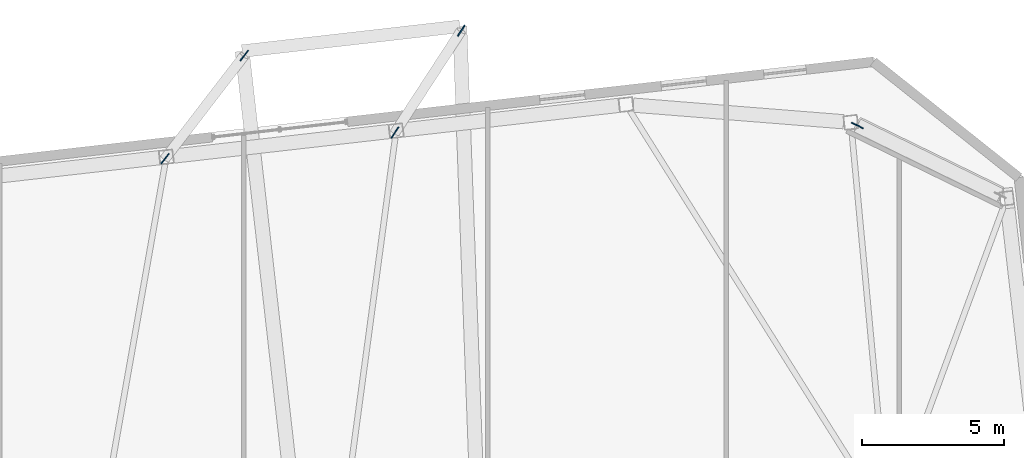
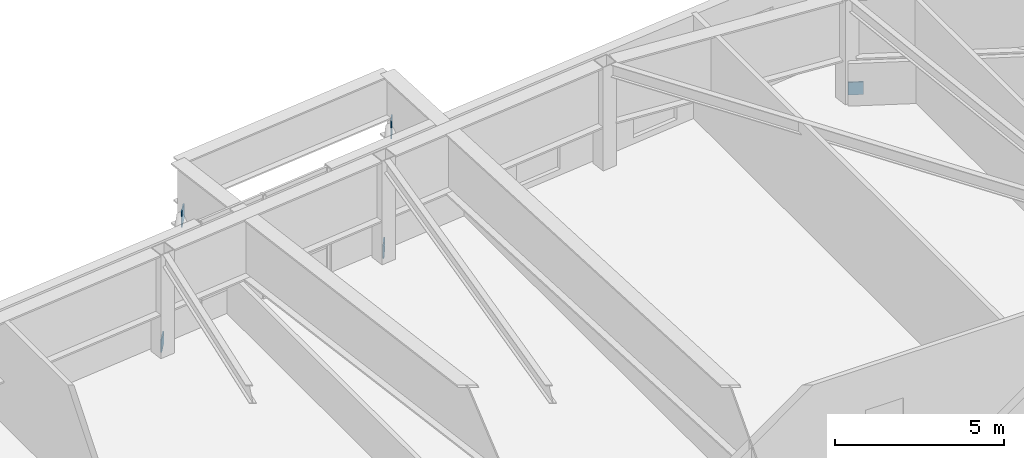
# One storey, part 17 of 20: 5 discrete accessories.
"""IFC4 building model written with IfcOpenShell, lengths in metres."""

from ifc_helpers import new_model, si_unit, direction, frame, origin, origin_2d, place, context, subcontext, project, spatial, rectangle, extrude, material, type_object, element, save


model = new_model("IFC4")

# Units and contexts
model_context = context("Model", 3, precision=1e-05, world=origin(), true_north=direction((0.0, 1.0)))
body_context = subcontext(model_context, "Body", "Model", "MODEL_VIEW")
ifc_project = project(units=[si_unit("LENGTHUNIT", "METRE"), si_unit("AREAUNIT", "SQUARE_METRE"), si_unit("VOLUMEUNIT", "CUBIC_METRE"), si_unit("PLANEANGLEUNIT", "RADIAN"), si_unit("MASSUNIT", "GRAM", prefix="KILO")], contexts=[model_context])

# Site, building, storey
site_placement = place(None, origin())
site = spatial("IfcSite", under=ifc_project, at=site_placement, CompositionType="ELEMENT")
building_placement = place(site_placement, origin())
building = spatial("IfcBuilding", under=site, at=building_placement, Name="Tavrogorsk Clinical Tower", CompositionType="ELEMENT")
storey_placement = place(building_placement, frame((0.0, 0.0, 234.199951171875)))
storey = spatial("IfcBuildingStorey", under=building, at=storey_placement, Name="L54", CompositionType="ELEMENT", Elevation=234.199951171875)

# Discrete accessories
ifc_material = material(Name="Structural steel S440", Category="steel")
discrete_accessory_type = type_object("IfcDiscreteAccessoryType", Name="GussetPlateBracket_25", PredefinedType="BRACKET", material=ifc_material)
for number, where, z_axis, x_axis, name in (
    (1, (23.415771484375, 27.142333984375, 0.119384765625), (0.0, 0.0, 1.0), (0.898794046299, -0.438371146789, 0.0), "L54 Brace Gusset Plate EXOCRN-L54-2-A"),
    (2, (-0.970458984375, 25.974609375, 0.19677734375), (0.0, 0.0, 1.0), (0.609453528518, 0.792821793707, 0.0), "L54 Brace Gusset Plate DRB-08-STRUT-L-L55-A"),
):
    element("IfcDiscreteAccessory", number, at=place(storey_placement, frame(where, z_axis=z_axis, x_axis=x_axis)), inside=storey, type_object=discrete_accessory_type, Name=name, PredefinedType="BRACKET", context=body_context, shape_type="SweptSolid", body=[
        extrude(rectangle(XDim=0.4599609375, YDim=0.0400390625, at=origin_2d()), origin(), (0.0, 0.0, 1.0), 0.4599609375),
    ])
discrete_accessory_1_placement = place(storey_placement, frame((1.81884765625, 29.603515625, 1.533203125), z_axis=(0.0, 0.0, 1.0), x_axis=(0.609453528518, 0.792821793707, 0.0)))
element("IfcDiscreteAccessory", 3, at=discrete_accessory_1_placement, inside=storey, type_object=discrete_accessory_type, Name="L54 Brace Gusset Plate DRB-08-STRUT-L-L55-B", PredefinedType="BRACKET", context=body_context, shape_type="SweptSolid", body=[
    extrude(rectangle(XDim=0.4599609375, YDim=0.0400390625, at=origin_2d()), origin(), (0.0, 0.0, 1.0), 0.56005859375),
])
discrete_accessory_2_placement = place(storey_placement, frame((7.130859375, 26.893798828125, 0.1953125), z_axis=(0.0, 0.0, 1.0), x_axis=(0.545516989988, 0.838099763533, 0.0)))
element("IfcDiscreteAccessory", 4, at=discrete_accessory_2_placement, inside=storey, type_object=discrete_accessory_type, Name="L54 Brace Gusset Plate DRB-08-STRUT-R-L55-A", PredefinedType="BRACKET", context=body_context, shape_type="SweptSolid", body=[
    extrude(rectangle(XDim=0.4599609375, YDim=0.0400390625, at=origin_2d()), origin(), (0.0, 0.0, 1.0), 0.4599609375),
])
discrete_accessory_3_placement = place(storey_placement, frame((9.464111328125, 30.478271484375, 1.53466796875), z_axis=(0.0, 0.0, 1.0), x_axis=(0.545516989988, 0.838099763533, 0.0)))
element("IfcDiscreteAccessory", 5, at=discrete_accessory_3_placement, inside=storey, type_object=discrete_accessory_type, Name="L54 Brace Gusset Plate DRB-08-STRUT-R-L55-B", PredefinedType="BRACKET", context=body_context, shape_type="SweptSolid", body=[
    extrude(rectangle(XDim=0.4599609375, YDim=0.0400390625, at=origin_2d()), origin(), (0.0, 0.0, 1.0), 0.56005859375),
])

save(model, "model.ifc")
